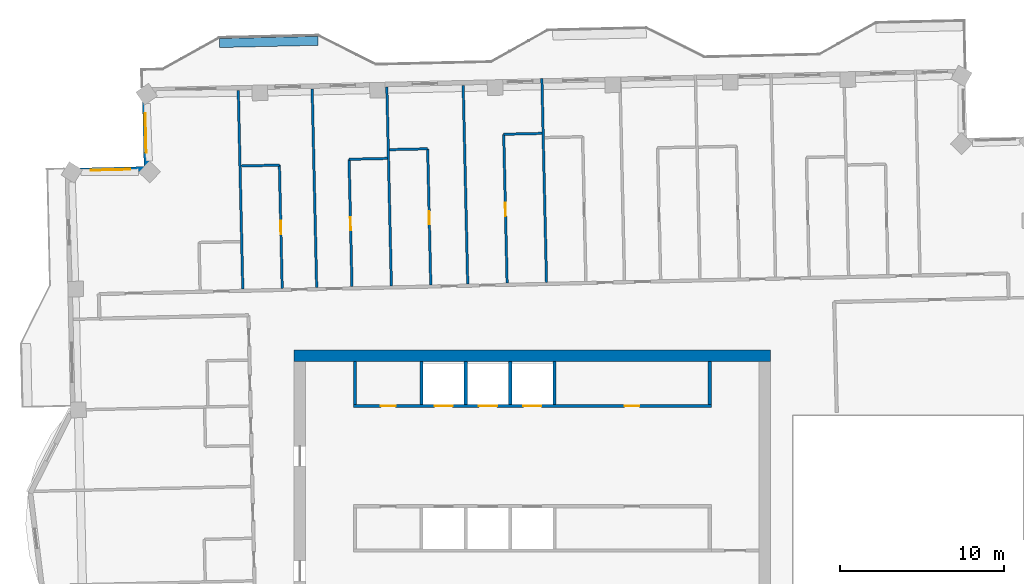
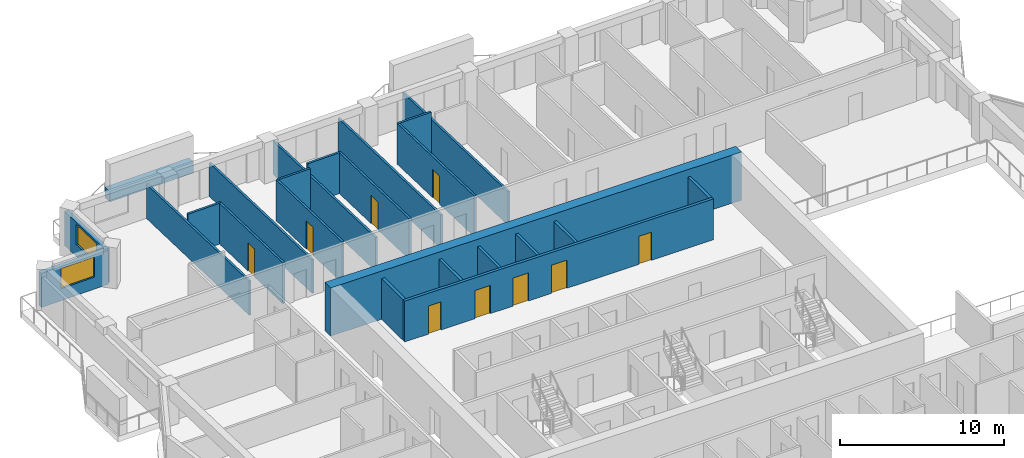
# One storey, part 13 of 20: 24 walls, 9 doors, 2 windows, 11 openings.
"""IFC4 building model written with IfcOpenShell, lengths in metres."""

import ifcopenshell
import ifcopenshell.guid

model = None  # the IFC model being written
_history = None  # IfcOwnerHistory: only IFC2X3 demands one
_inside = {}  # id of a spatial element -> (the spatial element, [elements in it])
_under = {}  # id of a project, library or spatial element -> (it, [spatial elements below it])
_declared = {}  # id of a project -> (the project, [libraries it declares])
_typed = {}  # id of a type object -> (the type object, [elements of that type])
_made_of = {}  # id of a material, layer set ... -> (it, [elements and type objects made of it])


def new_model(schema):
    """Start an empty IFC model of exactly this schema.

    Asked for "IFC4X3", IfcOpenShell would pick the latest addendum, in which some entities
    have other attributes; the version numbers below select the first issue.
    IFC2X3 requires an IfcOwnerHistory on every rooted entity: one is made here for all.
    """
    global model, _history
    if schema == "IFC4X3":
        model = ifcopenshell.file(schema_version=(4, 3, 0, 0))
    else:
        model = ifcopenshell.file(schema=schema)
    _inside.clear()
    _under.clear()
    _declared.clear()
    _typed.clear()
    _made_of.clear()
    _history = None
    if model.schema == "IFC2X3":
        org = make("IfcOrganization", Name="unknown")
        user = make(
            "IfcPersonAndOrganization",
            ThePerson=make("IfcPerson", FamilyName="unknown"),
            TheOrganization=org,
        )
        app = make(
            "IfcApplication",
            ApplicationDeveloper=org,
            Version="unknown",
            ApplicationFullName="unknown",
            ApplicationIdentifier="unknown",
        )
        _history = make(
            "IfcOwnerHistory",
            OwningUser=user,
            OwningApplication=app,
            ChangeAction="ADDED",
            CreationDate=0,
        )
    return model


def make(cls, **values):
    """One entity of the class cls with the attributes given. An attribute that is None is left unset."""
    return model.create_entity(
        cls, **{name: value for name, value in values.items() if value is not None}
    )


def rooted(cls, **values):
    """An entity with a GlobalId (a new one), such as an element, a storey or a relation."""
    return make(cls, GlobalId=ifcopenshell.guid.new(), OwnerHistory=_history, **values)


def si_unit(unit_type, name, prefix=None):
    """IfcSIUnit, for example si_unit("LENGTHUNIT", "METRE", prefix="MILLI")."""
    return make("IfcSIUnit", UnitType=unit_type, Prefix=prefix, Name=name)


def assignment(units):
    """IfcUnitAssignment: the units of a project."""
    return None if units is None else make("IfcUnitAssignment", Units=units)


def point(xyz):
    """IfcCartesianPoint."""
    return None if xyz is None else make("IfcCartesianPoint", Coordinates=xyz)


def direction(xyz):
    """IfcDirection."""
    return None if xyz is None else make("IfcDirection", DirectionRatios=xyz)


def frame(location, z_axis=None, x_axis=None):
    """IfcAxis2Placement3D, a coordinate frame: its origin and axes. An axis left out is left unset."""
    return make(
        "IfcAxis2Placement3D",
        Location=point(location),
        Axis=direction(z_axis),
        RefDirection=direction(x_axis),
    )


def frame_2d(location, x_axis=None):
    """IfcAxis2Placement2D, a coordinate frame in the plane: its origin and x axis."""
    return make(
        "IfcAxis2Placement2D", Location=point(location), RefDirection=direction(x_axis)
    )


def origin():
    """The frame at (0, 0, 0) with its axes left unset."""
    return frame((0.0, 0.0, 0.0))


def place(relative_to, where):
    """IfcLocalPlacement: puts the frame where relative to a parent placement (None: the world)."""
    return make(
        "IfcLocalPlacement", PlacementRelTo=relative_to, RelativePlacement=where
    )


def context(
    kind, dimensions, precision=None, world=None, true_north=None, identifier=None
):
    """IfcGeometricRepresentationContext, for example the 3D "Model" context."""
    return make(
        "IfcGeometricRepresentationContext",
        ContextIdentifier=identifier,
        ContextType=kind,
        CoordinateSpaceDimension=dimensions,
        Precision=precision,
        WorldCoordinateSystem=world,
        TrueNorth=true_north,
    )


def subcontext(parent, identifier, kind, view, scale=None):
    """IfcGeometricRepresentationSubContext, for example "Body" below "Model"."""
    return make(
        "IfcGeometricRepresentationSubContext",
        ContextIdentifier=identifier,
        ContextType=kind,
        ParentContext=parent,
        TargetScale=scale,
        TargetView=view,
    )


def project(units=None, contexts=None):
    """IfcProject with its units and contexts."""
    return rooted(
        "IfcProject",
        Name="project",
        RepresentationContexts=contexts,
        UnitsInContext=assignment(units),
    )


def spatial(cls, under=None, at=None, **own):
    """A site, building, storey or space (cls), placed at a placement, below another one or the project."""
    s = rooted(cls, ObjectPlacement=at, **own)
    if under is not None:
        _under.setdefault(under.id(), (under, []))[1].append(s)
    return s


def profile(cls, at=None, kind="AREA", **sizes):
    """A parametric profile (cls). Its sizes go by their IFC names, for example OverallWidth=200.0."""
    return make(cls, ProfileType=kind, Position=at, **sizes)


def rectangle(**sizes):
    """IfcRectangleProfileDef."""
    return profile("IfcRectangleProfileDef", **sizes)


def extrude(swept, where, along, depth):
    """IfcExtrudedAreaSolid: the profile swept, set in the frame where, extruded along a direction by depth."""
    return make(
        "IfcExtrudedAreaSolid",
        SweptArea=swept,
        Position=where,
        ExtrudedDirection=direction(along),
        Depth=depth,
    )


def shape(context_of_items, identifier, shape_type, items):
    """IfcShapeRepresentation: the items that make up one representation, for example the "Body"."""
    return make(
        "IfcShapeRepresentation",
        ContextOfItems=context_of_items,
        RepresentationIdentifier=identifier,
        RepresentationType=shape_type,
        Items=items,
    )


def material(Name=None, Category=None):
    """IfcMaterial."""
    return make("IfcMaterial", Name=Name, Category=Category)


def layer(
    of_material, thickness, ventilated=None, Name=None, Category=None, Priority=None
):
    """IfcMaterialLayer: one layer of a wall or slab, of a material (None: an air gap)."""
    return make(
        "IfcMaterialLayer",
        Material=of_material,
        LayerThickness=thickness,
        IsVentilated=ventilated,
        Name=Name,
        Category=Category,
        Priority=Priority,
    )


def layer_set(layers, Name=None):
    """IfcMaterialLayerSet."""
    return make("IfcMaterialLayerSet", MaterialLayers=layers, LayerSetName=Name)


def made_of(thing, what):
    """Note that an element or type object is made of a material, layer set ...; save() writes the relation."""
    if what is not None:
        _made_of.setdefault(what.id(), (what, []))[1].append(thing)
    return thing


def type_object(cls, material=None, **own):
    """A type object (cls), such as IfcWallType, which elements share."""
    return made_of(rooted(cls, **own), material)


def element(
    cls,
    number,
    at=None,
    inside=None,
    cuts=None,
    type_object=None,
    material=None,
    context=None,
    identifier="Body",
    shape_type=None,
    held_by="IfcProductDefinitionShape",
    body=None,
    shapes=None,
    **own,
):
    """One element of the class cls, such as IfcWall. Its Tag is "e" and its number.

    at: its placement. inside: the storey or other place that contains it. cuts: it is an
    opening in that element (IfcRelVoidsElement). A single representation is given by context,
    identifier, shape_type and body (its items); several are given by shapes. held_by: the class
    of the entity that holds the representations. save() writes the other relations.
    """
    e = rooted(cls, Tag="e%d" % number, ObjectPlacement=at, **own)
    if body is not None:
        shapes = [shape(context, identifier, shape_type, body)]
    if shapes is not None:
        e.Representation = make(held_by, Representations=shapes)
    if inside is not None:
        _inside.setdefault(inside.id(), (inside, []))[1].append(e)
    if cuts is not None:
        rooted(
            "IfcRelVoidsElement", RelatingBuildingElement=cuts, RelatedOpeningElement=e
        )
    if type_object is not None:
        _typed.setdefault(type_object.id(), (type_object, []))[1].append(e)
    return made_of(e, material)


def fill(opening, filler):
    """IfcRelFillsElement: the door or window that sits in an opening."""
    return rooted(
        "IfcRelFillsElement",
        RelatingOpeningElement=opening,
        RelatedBuildingElement=filler,
    )


def aggregate(whole, parts):
    """IfcRelAggregates: a whole, such as a stair, and the parts it consists of."""
    return rooted("IfcRelAggregates", RelatingObject=whole, RelatedObjects=parts)


def save(model, path):
    """Write the relations noted so far, then the file.

    IfcRelAggregates (storeys below a building ...), IfcRelContainedInSpatialStructure (elements
    in a storey), IfcRelDefinesByType, IfcRelAssociatesMaterial and IfcRelDeclares: one each for
    every whole, place, type object, material and project.
    """
    for whole, parts in _under.values():
        aggregate(whole, parts)
    for where, things in _inside.values():
        rooted(
            "IfcRelContainedInSpatialStructure",
            RelatedElements=things,
            RelatingStructure=where,
        )
    for kind, things in _typed.values():
        rooted("IfcRelDefinesByType", RelatedObjects=things, RelatingType=kind)
    for what, things in _made_of.values():
        rooted("IfcRelAssociatesMaterial", RelatedObjects=things, RelatingMaterial=what)
    for by, libraries in _declared.values():
        rooted("IfcRelDeclares", RelatingContext=by, RelatedDefinitions=libraries)
    model.write(path)


model = new_model("IFC4")

# Units and contexts
model_context = context("Model", 3, precision=1e-05, world=origin(), true_north=direction((0.0, 1.0)))
body_context = subcontext(model_context, "Body", "Model", "MODEL_VIEW")
ifc_project = project(units=[si_unit("LENGTHUNIT", "METRE"), si_unit("AREAUNIT", "SQUARE_METRE"), si_unit("VOLUMEUNIT", "CUBIC_METRE"), si_unit("PLANEANGLEUNIT", "RADIAN"), si_unit("MASSUNIT", "GRAM", prefix="KILO")], contexts=[model_context])

# Site, building, storey
site_placement = place(None, origin())
site = spatial("IfcSite", under=ifc_project, at=site_placement, CompositionType="ELEMENT")
building_placement = place(site_placement, origin())
building = spatial("IfcBuilding", under=site, at=building_placement, Name="Mangrove Gate Tower", CompositionType="ELEMENT")
storey_placement = place(building_placement, frame((0.0, 0.0, 279.89990234375)))
storey = spatial("IfcBuildingStorey", under=building, at=storey_placement, Name="L71", CompositionType="ELEMENT", Elevation=279.89990234375)

# Walls
ifc_material_1 = material(Name="Concrete C32/40", Category="concrete")
ifc_layer_1 = layer(ifc_material_1, 0.199951171875)
ifc_layer_set_1 = layer_set([ifc_layer_1], Name="Core room wall 200 C32/40")
wall_type_1 = type_object("IfcWallType", Name="Core room wall 200 C32/40", PredefinedType="STANDARD", material=ifc_layer_set_1)
for number, where, z_axis, x_axis, name in (
    (1, (-10.800048828125, 8.199951171875, 0.0), (0.0, 0.0, 1.0), (0.0, 1.0, 0.0), "WALL-L71-CORE-25"),
    (2, (10.800048828125, 8.199951171875, 0.0), (0.0, 0.0, 1.0), (0.0, 1.0, 0.0), "WALL-L71-CORE-30"),
):
    element("IfcWall", number, at=place(storey_placement, frame(where, z_axis=z_axis, x_axis=x_axis)), inside=storey, type_object=wall_type_1, Name=name, PredefinedType="STANDARD", context=body_context, shape_type="SweptSolid", body=[
        extrude(rectangle(XDim=2.60009765625, YDim=0.199951171875, at=frame_2d((1.300048828125, 0.0))), origin(), (0.0, 0.0, 1.0), 3.050048828125),
    ])

# Wall, openings, doors
ifc_material_2 = material(Name="Concrete C50/60", Category="concrete")
ifc_layer_2 = layer(ifc_material_2, 0.199951171875)
ifc_layer_set_2 = layer_set([ifc_layer_2], Name="Core shaft wall 200 C50/60")
wall_type_2 = type_object("IfcWallType", Name="Core shaft wall 200 C50/60", PredefinedType="SHEAR", material=ifc_layer_set_2)
wall_1_placement = place(storey_placement, frame((-10.89990234375, 8.10009765625, 0.0), z_axis=(0.0, 0.0, 1.0), x_axis=(1.0, 0.0, 0.0)))
wall_1 = element("IfcWall", 3, at=wall_1_placement, inside=storey, type_object=wall_type_2, Name="WALL-L71-CORE-8", PredefinedType="SHEAR", context=body_context, shape_type="SweptSolid", body=[
    extrude(rectangle(XDim=21.7998046875, YDim=0.199951171875, at=frame_2d((10.89990234375, 0.0))), origin(), (0.0, 0.0, 1.0), 3.050048828125),
])
opening_1_placement = place(wall_1_placement, frame((4.949951171875, 0.0, 0.0)))
opening_1 = element("IfcOpeningElement", 4, at=opening_1_placement, cuts=wall_1, Name="Opening LD", PredefinedType="OPENING", context=body_context, shape_type="SweptSolid", body=[
    extrude(rectangle(XDim=1.10009765625, YDim=2.10009765625, at=frame_2d((0.550048828125, 1.050048828125))), frame((0.0, 0.10986328125, 0.0), z_axis=(0.0, -1.0, 0.0), x_axis=(1.0, 0.0, 0.0)), (0.0, 0.0, 1.0), 0.219970703125),
])
opening_2_placement = place(wall_1_placement, frame((7.64990234375, 0.0, 0.0)))
opening_2 = element("IfcOpeningElement", 5, at=opening_2_placement, cuts=wall_1, Name="Opening LD", PredefinedType="OPENING", context=body_context, shape_type="SweptSolid", body=[
    extrude(rectangle(XDim=1.10009765625, YDim=2.10009765625, at=frame_2d((0.550048828125, 1.050048828125))), frame((0.0, 0.10986328125, 0.0), z_axis=(0.0, -1.0, 0.0), x_axis=(1.0, 0.0, 0.0)), (0.0, 0.0, 1.0), 0.219970703125),
])
opening_3_placement = place(wall_1_placement, frame((10.35009765625, 0.0, 0.0)))
opening_3 = element("IfcOpeningElement", 6, at=opening_3_placement, cuts=wall_1, Name="Opening LD", PredefinedType="OPENING", context=body_context, shape_type="SweptSolid", body=[
    extrude(rectangle(XDim=1.10009765625, YDim=2.10009765625, at=frame_2d((0.550048828125, 1.050048828125))), frame((0.0, 0.10986328125, 0.0), z_axis=(0.0, -1.0, 0.0), x_axis=(1.0, 0.0, 0.0)), (0.0, 0.0, 1.0), 0.219970703125),
])
opening_4_placement = place(wall_1_placement, frame((1.675048828125, 0.0, 0.0)))
opening_4 = element("IfcOpeningElement", 7, at=opening_4_placement, cuts=wall_1, Name="Opening KD", PredefinedType="OPENING", context=body_context, shape_type="SweptSolid", body=[
    extrude(rectangle(XDim=0.89990234375, YDim=2.10009765625, at=frame_2d((0.449951171875, 1.050048828125))), frame((0.0, 0.10986328125, 0.0), z_axis=(0.0, -1.0, 0.0), x_axis=(1.0, 0.0, 0.0)), (0.0, 0.0, 1.0), 0.219970703125),
])
opening_5_placement = place(wall_1_placement, frame((16.52490234375, 0.0, 0.0)))
opening_5 = element("IfcOpeningElement", 8, at=opening_5_placement, cuts=wall_1, Name="Opening RD", PredefinedType="OPENING", context=body_context, shape_type="SweptSolid", body=[
    extrude(rectangle(XDim=0.89990234375, YDim=2.10009765625, at=frame_2d((0.449951171875, 1.050048828125))), frame((0.0, 0.10986328125, 0.0), z_axis=(0.0, -1.0, 0.0), x_axis=(1.0, 0.0, 0.0)), (0.0, 0.0, 1.0), 0.219970703125),
])
ifc_material_3 = material(Name="Fire-rated steel door set", Category="steel")
door_type_1 = type_object("IfcDoorType", Name="Core room door FD30S 900x2100", OperationType="SINGLE_SWING_RIGHT", PredefinedType="DOOR", material=ifc_material_3)
door_1_placement = place(opening_4_placement, origin())
door_1 = element("IfcDoor", 9, at=door_1_placement, inside=storey, type_object=door_type_1, Name="Core room door Refuse store", OperationType="SINGLE_SWING_RIGHT", OverallHeight=2.10009765625, OverallWidth=0.89990234375, PredefinedType="DOOR", context=body_context, shape_type="SweptSolid", body=[
    extrude(rectangle(XDim=0.89990234375, YDim=2.10009765625, at=frame_2d((0.449951171875, 1.050048828125))), frame((0.0, 0.02490234375, 0.0), z_axis=(0.0, -1.0, 0.0), x_axis=(1.0, 0.0, 0.0)), (0.0, 0.0, 1.0), 0.050048828125),
])
fill(opening_4, door_1)
ifc_material_4 = material(Name="Stainless steel 316", Category="steel")
door_type_2 = type_object("IfcDoorType", Name="Lift landing door 1100x2100", OperationType="SLIDING_TO_LEFT", PredefinedType="DOOR", material=ifc_material_4)
door_2_placement = place(opening_1_placement, origin())
door_2 = element("IfcDoor", 10, at=door_2_placement, inside=storey, type_object=door_type_2, Name="Landing door LD H04", OperationType="SLIDING_TO_LEFT", OverallHeight=2.10009765625, OverallWidth=1.10009765625, PredefinedType="DOOR", context=body_context, shape_type="SweptSolid", body=[
    extrude(rectangle(XDim=1.10009765625, YDim=2.10009765625, at=frame_2d((0.550048828125, 1.050048828125))), frame((0.0, 0.02490234375, 0.0), z_axis=(0.0, -1.0, 0.0), x_axis=(1.0, 0.0, 0.0)), (0.0, 0.0, 1.0), 0.050048828125),
])
fill(opening_1, door_2)
door_3_placement = place(opening_2_placement, origin())
door_3 = element("IfcDoor", 11, at=door_3_placement, inside=storey, type_object=door_type_2, Name="Landing door LD H05", OperationType="SLIDING_TO_LEFT", OverallHeight=2.10009765625, OverallWidth=1.10009765625, PredefinedType="DOOR", context=body_context, shape_type="SweptSolid", body=[
    extrude(rectangle(XDim=1.10009765625, YDim=2.10009765625, at=frame_2d((0.550048828125, 1.050048828125))), frame((0.0, 0.02490234375, 0.0), z_axis=(0.0, -1.0, 0.0), x_axis=(1.0, 0.0, 0.0)), (0.0, 0.0, 1.0), 0.050048828125),
])
fill(opening_2, door_3)
door_4_placement = place(opening_3_placement, origin())
door_4 = element("IfcDoor", 12, at=door_4_placement, inside=storey, type_object=door_type_2, Name="Landing door LD H06", OperationType="SLIDING_TO_LEFT", OverallHeight=2.10009765625, OverallWidth=1.10009765625, PredefinedType="DOOR", context=body_context, shape_type="SweptSolid", body=[
    extrude(rectangle(XDim=1.10009765625, YDim=2.10009765625, at=frame_2d((0.550048828125, 1.050048828125))), frame((0.0, 0.02490234375, 0.0), z_axis=(0.0, -1.0, 0.0), x_axis=(1.0, 0.0, 0.0)), (0.0, 0.0, 1.0), 0.050048828125),
])
fill(opening_3, door_4)
ifc_material_5 = material(Name="Fire-rated steel door set", Category="steel")
door_type_3 = type_object("IfcDoorType", Name="Riser door FD30S 900x2100", OperationType="SINGLE_SWING_LEFT", PredefinedType="DOOR", material=ifc_material_5)
door_5_placement = place(opening_5_placement, origin())
door_5 = element("IfcDoor", 13, at=door_5_placement, inside=storey, type_object=door_type_3, Name="Riser door Electrical room", OperationType="SINGLE_SWING_LEFT", OverallHeight=2.10009765625, OverallWidth=0.89990234375, PredefinedType="DOOR", context=body_context, shape_type="SweptSolid", body=[
    extrude(rectangle(XDim=0.89990234375, YDim=2.10009765625, at=frame_2d((0.449951171875, 1.050048828125))), frame((0.0, 0.02490234375, 0.0), z_axis=(0.0, -1.0, 0.0), x_axis=(1.0, 0.0, 0.0)), (0.0, 0.0, 1.0), 0.050048828125),
])
fill(opening_5, door_5)

# Walls
for number, where, z_axis, x_axis, name in (
    (14, (-6.75, 8.199951171875, 0.0), (0.0, 0.0, 1.0), (0.0, 1.0, 0.0), "WALL-L71-CORE-26"),
    (15, (-4.050048828125, 8.199951171875, 0.0), (0.0, 0.0, 1.0), (0.0, 1.0, 0.0), "WALL-L71-CORE-27"),
    (16, (-1.35009765625, 8.199951171875, 0.0), (0.0, 0.0, 1.0), (0.0, 1.0, 0.0), "WALL-L71-CORE-28"),
    (17, (1.35009765625, 8.199951171875, 0.0), (0.0, 0.0, 1.0), (0.0, 1.0, 0.0), "WALL-L71-CORE-29"),
):
    element("IfcWall", number, at=place(storey_placement, frame(where, z_axis=z_axis, x_axis=x_axis)), inside=storey, type_object=wall_type_2, Name=name, PredefinedType="SHEAR", context=body_context, shape_type="SweptSolid", body=[
        extrude(rectangle(XDim=2.60009765625, YDim=0.199951171875, at=frame_2d((1.300048828125, 0.0))), origin(), (0.0, 0.0, 1.0), 3.050048828125),
    ])
ifc_material_6 = material(Name="Concrete C50/60", Category="concrete")
ifc_layer_3 = layer(ifc_material_6, 0.699951171875)
ifc_layer_set_3 = layer_set([ifc_layer_3], Name="Core wall 700 C50/60")
wall_type_3 = type_object("IfcWallType", Name="Core wall 700 C50/60", PredefinedType="SHEAR", material=ifc_layer_set_3)
wall_2_placement = place(storey_placement, frame((-14.5, 11.14990234375, 0.0), z_axis=(0.0, 0.0, 1.0), x_axis=(1.0, 0.0, 0.0)))
element("IfcWall", 18, at=wall_2_placement, inside=storey, type_object=wall_type_3, Name="WALL-L71-CORE-2", PredefinedType="SHEAR", context=body_context, shape_type="SweptSolid", body=[
    extrude(rectangle(XDim=29.0, YDim=0.699951171875, at=frame_2d((14.5, 0.0))), origin(), (0.0, 0.0, 1.0), 3.60009765625),
])

# Wall, opening, window
ifc_material_7 = material(Name="Limestone", Category="masonry")
ifc_layer_4 = layer(ifc_material_7, 0.0400390625, Name="Limestone cladding")
ifc_material_8 = material(Name="Ventilated air gap")
ifc_layer_5 = layer(ifc_material_8, 0.0400390625, Name="Ventilated cavity")
ifc_material_9 = material(Name="Mineral wool insulation")
ifc_layer_6 = layer(ifc_material_9, 0.06005859375, Name="Insulation")
ifc_material_10 = material(Name="Breather membrane")
ifc_layer_7 = layer(ifc_material_10, 0.001953125, Name="Breather membrane")
ifc_material_11 = material(Name="Concrete C20/25 blockwork", Category="masonry")
ifc_layer_8 = layer(ifc_material_11, 0.14990234375, Name="Blockwork backing wall")
ifc_material_12 = material(Name="Gypsum plaster")
ifc_layer_9 = layer(ifc_material_12, 0.008056640625, Name="Internal plaster")
ifc_layer_set_4 = layer_set([ifc_layer_4, ifc_layer_5, ifc_layer_6, ifc_layer_7, ifc_layer_8, ifc_layer_9], Name="External wall 300 limestone cladding")
wall_type_4 = type_object("IfcWallType", Name="External wall 300 limestone cladding", PredefinedType="SOLIDWALL", material=ifc_layer_set_4)
wall_3_placement = place(storey_placement, frame((-23.60693359375, 27.3349609375, 0.0), z_axis=(0.0, 0.0, 1.0), x_axis=(0.022683280499, -0.999742701292, 0.0)))
wall_3 = element("IfcWall", 19, at=wall_3_placement, inside=storey, type_object=wall_type_4, Name="WALL-L71-W6", PredefinedType="SOLIDWALL", context=body_context, shape_type="SweptSolid", body=[
    extrude(rectangle(XDim=4.80029296875, YDim=0.300048828125, at=frame_2d((2.400146484375, 0.0))), origin(), (0.0, 0.0, 1.0), 2.550048828125),
])
opening_6_placement = place(wall_3_placement, frame((1.408935546875, 0.0, 0.89990234375)))
opening_6 = element("IfcOpeningElement", 20, at=opening_6_placement, cuts=wall_3, Name="Opening W2", PredefinedType="OPENING", context=body_context, shape_type="SweptSolid", body=[
    extrude(rectangle(XDim=2.39990234375, YDim=1.5, at=frame_2d((1.199951171875, 0.75))), frame((0.0, 0.159912109375, 0.0), z_axis=(0.0, -1.0, 0.0), x_axis=(1.0, 0.0, 0.0)), (0.0, 0.0, 1.0), 0.320068359375),
])
ifc_material_13 = material(Name="Aluminium frame with double-glazed low-e glass", Category="aluminium")
window_type = type_object("IfcWindowType", Name="Corner room window 2400x1500", PartitioningType="DOUBLE_PANEL_VERTICAL", PredefinedType="WINDOW", material=ifc_material_13)
window_1_placement = place(opening_6_placement, origin())
window_1 = element("IfcWindow", 21, at=window_1_placement, inside=storey, type_object=window_type, Name="WIN-L71-W6-1", OverallHeight=1.5, OverallWidth=2.39990234375, PartitioningType="DOUBLE_PANEL_VERTICAL", PredefinedType="WINDOW", context=body_context, shape_type="SweptSolid", body=[
    extrude(rectangle(XDim=2.39990234375, YDim=1.5, at=frame_2d((1.199951171875, 0.75))), frame((0.0, 0.030029296875, 0.0), z_axis=(0.0, -1.0, 0.0), x_axis=(1.0, 0.0, 0.0)), (0.0, 0.0, 1.0), 0.06005859375),
])
fill(opening_6, window_1)

wall_4_placement = place(storey_placement, frame((-23.498046875, 22.535888671875, 0.0), z_axis=(0.0, 0.0, 1.0), x_axis=(-0.999742701292, -0.022683280499, 0.0)))
wall_4 = element("IfcWall", 22, at=wall_4_placement, inside=storey, type_object=wall_type_4, Name="WALL-L71-N7", PredefinedType="SOLIDWALL", context=body_context, shape_type="SweptSolid", body=[
    extrude(rectangle(XDim=4.80029296875, YDim=0.300048828125, at=frame_2d((2.400146484375, 0.0))), origin(), (0.0, 0.0, 1.0), 2.550048828125),
])
opening_7_placement = place(wall_4_placement, frame((0.989990234375, 0.0, 0.89990234375)))
opening_7 = element("IfcOpeningElement", 23, at=opening_7_placement, cuts=wall_4, Name="Opening W2", PredefinedType="OPENING", context=body_context, shape_type="SweptSolid", body=[
    extrude(rectangle(XDim=2.39990234375, YDim=1.5, at=frame_2d((1.199951171875, 0.75))), frame((0.0, 0.159912109375, 0.0), z_axis=(0.0, -1.0, 0.0), x_axis=(1.0, 0.0, 0.0)), (0.0, 0.0, 1.0), 0.320068359375),
])
window_2_placement = place(opening_7_placement, origin())
window_2 = element("IfcWindow", 24, at=window_2_placement, inside=storey, type_object=window_type, Name="WIN-L71-N7-1", OverallHeight=1.5, OverallWidth=2.39990234375, PartitioningType="DOUBLE_PANEL_VERTICAL", PredefinedType="WINDOW", context=body_context, shape_type="SweptSolid", body=[
    extrude(rectangle(XDim=2.39990234375, YDim=1.5, at=frame_2d((1.199951171875, 0.75))), frame((0.0, 0.030029296875, 0.0), z_axis=(0.0, -1.0, 0.0), x_axis=(1.0, 0.0, 0.0)), (0.0, 0.0, 1.0), 0.06005859375),
])
fill(opening_7, window_2)

# Wall
ifc_material_14 = material(Name="Gypsum board on steel stud, EI 60", Category="steel")
ifc_layer_10 = layer(ifc_material_14, 0.14990234375)
ifc_layer_set_5 = layer_set([ifc_layer_10], Name="Party wall 150 EI 60")
wall_type_5 = type_object("IfcWallType", Name="Party wall 150 EI 60", PredefinedType="PARTITIONING", material=ifc_layer_set_5)
wall_5_placement = place(storey_placement, frame((-17.633056640625, 15.217041015625, 0.0), z_axis=(0.0, 0.0, 1.0), x_axis=(-0.02263844782, 0.9997437175, 0.0)))
element("IfcWall", 25, at=wall_5_placement, inside=storey, type_object=wall_type_5, Name="WALL-L71-059", PredefinedType="PARTITIONING", context=body_context, shape_type="SweptSolid", body=[
    extrude(rectangle(XDim=12.10009765625, YDim=0.14990234375, at=frame_2d((6.050048828125, 0.0))), origin(), (0.0, 0.0, 1.0), 2.550048828125),
])

# Wall, opening, door
wall_6_placement = place(storey_placement, frame((-15.23291015625, 15.27197265625, 0.0), z_axis=(0.0, 0.0, 1.0), x_axis=(-0.022819011082, 0.999739612466, 0.0)))
wall_6 = element("IfcWall", 26, at=wall_6_placement, inside=storey, type_object=wall_type_5, Name="WALL-L71-060", PredefinedType="PARTITIONING", context=body_context, shape_type="SweptSolid", body=[
    extrude(rectangle(XDim=7.5, YDim=0.14990234375, at=frame_2d((3.75, 0.0))), origin(), (0.0, 0.0, 1.0), 3.050048828125),
])
opening_8_placement = place(wall_6_placement, frame((3.300048828125, 0.0, 0.0)))
opening_8 = element("IfcOpeningElement", 27, at=opening_8_placement, cuts=wall_6, Name="Opening ED", PredefinedType="OPENING", context=body_context, shape_type="SweptSolid", body=[
    extrude(rectangle(XDim=0.800048828125, YDim=2.10009765625, at=frame_2d((0.39990234375, 1.050048828125))), frame((0.0, 0.0849609375, 0.0), z_axis=(0.0, -1.0, 0.0), x_axis=(1.0, 0.0, 0.0)), (0.0, 0.0, 1.0), 0.169921875),
])
ifc_material_15 = material(Name="Timber door leaf", Category="wood")
door_type_4 = type_object("IfcDoorType", Name="En-suite door 800", OperationType="SINGLE_SWING_LEFT", PredefinedType="DOOR", material=ifc_material_15)
door_6_placement = place(opening_8_placement, origin())
door_6 = element("IfcDoor", 28, at=door_6_placement, inside=storey, type_object=door_type_4, Name="DOOR-L71-ENS-c518", OperationType="SINGLE_SWING_RIGHT", OverallHeight=2.10009765625, OverallWidth=0.800048828125, PredefinedType="DOOR", context=body_context, shape_type="SweptSolid", body=[
    extrude(rectangle(XDim=0.800048828125, YDim=2.10009765625, at=frame_2d((0.39990234375, 1.050048828125))), frame((0.0, 0.02490234375, 0.0), z_axis=(0.0, -1.0, 0.0), x_axis=(1.0, 0.0, 0.0)), (0.0, 0.0, 1.0), 0.050048828125),
])
fill(opening_8, door_6)

# Wall
wall_7_placement = place(storey_placement, frame((-13.134033203125, 15.319091796875, 0.0), z_axis=(0.0, 0.0, 1.0), x_axis=(-0.02263844782, 0.9997437175, 0.0)))
element("IfcWall", 29, at=wall_7_placement, inside=storey, type_object=wall_type_5, Name="WALL-L71-061", PredefinedType="PARTITIONING", context=body_context, shape_type="SweptSolid", body=[
    extrude(rectangle(XDim=12.10009765625, YDim=0.14990234375, at=frame_2d((6.050048828125, 0.0))), origin(), (0.0, 0.0, 1.0), 2.5),
])

# Wall, opening, door
wall_8_placement = place(storey_placement, frame((-10.98388671875, 15.367919921875, 0.0), z_axis=(0.0, 0.0, 1.0), x_axis=(-0.022809307977, 0.999739833892, 0.0)))
wall_8 = element("IfcWall", 30, at=wall_8_placement, inside=storey, type_object=wall_type_5, Name="WALL-L71-062", PredefinedType="PARTITIONING", context=body_context, shape_type="SweptSolid", body=[
    extrude(rectangle(XDim=7.760009765625, YDim=0.14990234375, at=frame_2d((3.8798828125, 0.0))), origin(), (0.0, 0.0, 1.0), 3.050048828125),
])
opening_9_placement = place(wall_8_placement, frame((3.429931640625, 0.0, 0.0)))
opening_9 = element("IfcOpeningElement", 31, at=opening_9_placement, cuts=wall_8, Name="Opening ED", PredefinedType="OPENING", context=body_context, shape_type="SweptSolid", body=[
    extrude(rectangle(XDim=0.800048828125, YDim=2.10009765625, at=frame_2d((0.39990234375, 1.050048828125))), frame((0.0, 0.0849609375, 0.0), z_axis=(0.0, -1.0, 0.0), x_axis=(1.0, 0.0, 0.0)), (0.0, 0.0, 1.0), 0.169921875),
])
door_7_placement = place(opening_9_placement, origin())
door_7 = element("IfcDoor", 32, at=door_7_placement, inside=storey, type_object=door_type_4, Name="DOOR-L71-ENS-c517", OperationType="SINGLE_SWING_LEFT", OverallHeight=2.10009765625, OverallWidth=0.800048828125, PredefinedType="DOOR", context=body_context, shape_type="SweptSolid", body=[
    extrude(rectangle(XDim=0.800048828125, YDim=2.10009765625, at=frame_2d((0.39990234375, 1.050048828125))), frame((0.0, 0.02490234375, 0.0), z_axis=(0.0, -1.0, 0.0), x_axis=(1.0, 0.0, 0.0)), (0.0, 0.0, 1.0), 0.050048828125),
])
fill(opening_9, door_7)

# Wall
wall_9_placement = place(storey_placement, frame((-8.5849609375, 15.422119140625, 0.0), z_axis=(0.0, 0.0, 1.0), x_axis=(-0.02273928012, 0.99974142914, 0.0)))
element("IfcWall", 33, at=wall_9_placement, inside=storey, type_object=wall_type_5, Name="WALL-L71-063", PredefinedType="PARTITIONING", context=body_context, shape_type="SweptSolid", body=[
    extrude(rectangle(XDim=12.10009765625, YDim=0.14990234375, at=frame_2d((6.050048828125, 0.0))), origin(), (0.0, 0.0, 1.0), 2.5),
])

# Wall, opening, door
wall_10_placement = place(storey_placement, frame((-6.18603515625, 15.47705078125, 0.0), z_axis=(0.0, 0.0, 1.0), x_axis=(-0.022676583998, 0.999742853207, 0.0)))
wall_10 = element("IfcWall", 34, at=wall_10_placement, inside=storey, type_object=wall_type_5, Name="WALL-L71-064", PredefinedType="PARTITIONING", context=body_context, shape_type="SweptSolid", body=[
    extrude(rectangle(XDim=8.2900390625, YDim=0.14990234375, at=frame_2d((4.14501953125, 0.0))), origin(), (0.0, 0.0, 1.0), 3.050048828125),
])
opening_10_placement = place(wall_10_placement, frame((3.695068359375, 0.0, 0.0)))
opening_10 = element("IfcOpeningElement", 35, at=opening_10_placement, cuts=wall_10, Name="Opening ED", PredefinedType="OPENING", context=body_context, shape_type="SweptSolid", body=[
    extrude(rectangle(XDim=0.800048828125, YDim=2.10009765625, at=frame_2d((0.39990234375, 1.050048828125))), frame((0.0, 0.0849609375, 0.0), z_axis=(0.0, -1.0, 0.0), x_axis=(1.0, 0.0, 0.0)), (0.0, 0.0, 1.0), 0.169921875),
])
door_8_placement = place(opening_10_placement, origin())
door_8 = element("IfcDoor", 36, at=door_8_placement, inside=storey, type_object=door_type_4, Name="DOOR-L71-ENS-c516", OperationType="SINGLE_SWING_RIGHT", OverallHeight=2.10009765625, OverallWidth=0.800048828125, PredefinedType="DOOR", context=body_context, shape_type="SweptSolid", body=[
    extrude(rectangle(XDim=0.800048828125, YDim=2.10009765625, at=frame_2d((0.39990234375, 1.050048828125))), frame((0.0, 0.02490234375, 0.0), z_axis=(0.0, -1.0, 0.0), x_axis=(1.0, 0.0, 0.0)), (0.0, 0.0, 1.0), 0.050048828125),
])
fill(opening_10, door_8)

# Wall
wall_11_placement = place(storey_placement, frame((-3.93603515625, 15.528076171875, 0.0), z_axis=(0.0, 0.0, 1.0), x_axis=(-0.022719113715, 0.999741887625, 0.0)))
element("IfcWall", 37, at=wall_11_placement, inside=storey, type_object=wall_type_5, Name="WALL-L71-065", PredefinedType="PARTITIONING", context=body_context, shape_type="SweptSolid", body=[
    extrude(rectangle(XDim=12.10009765625, YDim=0.14990234375, at=frame_2d((6.050048828125, 0.0))), origin(), (0.0, 0.0, 1.0), 2.5),
])

# Wall, opening, door
wall_12_placement = place(storey_placement, frame((-1.537109375, 15.58203125, 0.0), z_axis=(0.0, 0.0, 1.0), x_axis=(-0.022690833899, 0.999742529883, 0.0)))
wall_12 = element("IfcWall", 38, at=wall_12_placement, inside=storey, type_object=wall_type_5, Name="WALL-L71-066", PredefinedType="PARTITIONING", context=body_context, shape_type="SweptSolid", body=[
    extrude(rectangle(XDim=9.0703125, YDim=0.14990234375, at=frame_2d((4.53515625, 0.0))), origin(), (0.0, 0.0, 1.0), 3.050048828125),
])
opening_11_placement = place(wall_12_placement, frame((4.0849609375, 0.0, 0.0)))
opening_11 = element("IfcOpeningElement", 39, at=opening_11_placement, cuts=wall_12, Name="Opening ED", PredefinedType="OPENING", context=body_context, shape_type="SweptSolid", body=[
    extrude(rectangle(XDim=0.800048828125, YDim=2.10009765625, at=frame_2d((0.39990234375, 1.050048828125))), frame((0.0, 0.0849609375, 0.0), z_axis=(0.0, -1.0, 0.0), x_axis=(1.0, 0.0, 0.0)), (0.0, 0.0, 1.0), 0.169921875),
])
door_9_placement = place(opening_11_placement, origin())
door_9 = element("IfcDoor", 40, at=door_9_placement, inside=storey, type_object=door_type_4, Name="DOOR-L71-ENS-c415", OperationType="SINGLE_SWING_LEFT", OverallHeight=2.10009765625, OverallWidth=0.800048828125, PredefinedType="DOOR", context=body_context, shape_type="SweptSolid", body=[
    extrude(rectangle(XDim=0.800048828125, YDim=2.10009765625, at=frame_2d((0.39990234375, 1.050048828125))), frame((0.0, 0.02490234375, 0.0), z_axis=(0.0, -1.0, 0.0), x_axis=(1.0, 0.0, 0.0)), (0.0, 0.0, 1.0), 0.050048828125),
])
fill(opening_11, door_9)

# Walls
wall_13_placement = place(storey_placement, frame((0.862060546875, 15.636962890625, 0.0), z_axis=(0.0, 0.0, 1.0), x_axis=(-0.022661475803, 0.999743195783, 0.0)))
element("IfcWall", 41, at=wall_13_placement, inside=storey, type_object=wall_type_5, Name="WALL-L71-067", PredefinedType="PARTITIONING", context=body_context, shape_type="SweptSolid", body=[
    extrude(rectangle(XDim=12.400146484375, YDim=0.14990234375, at=frame_2d((6.2001953125, 0.0))), origin(), (0.0, 0.0, 1.0), 2.5),
])
wall_14_placement = place(storey_placement, frame((-17.72607421875, 22.717041015625, 0.0), z_axis=(0.0, 0.0, 1.0), x_axis=(0.999740260747, 0.02279059109, 0.0)))
element("IfcWall", 42, at=wall_14_placement, inside=storey, type_object=wall_type_5, Name="WALL-L71-081", PredefinedType="PARTITIONING", context=body_context, shape_type="SweptSolid", body=[
    extrude(rectangle(XDim=2.324462890625, YDim=0.14990234375, at=frame_2d((1.162109375, 0.0))), origin(), (0.0, 0.0, 1.0), 3.050048828125),
])
wall_15_placement = place(storey_placement, frame((-11.158935546875, 23.1259765625, 0.0), z_axis=(0.0, 0.0, 1.0), x_axis=(0.999740478815, 0.022781023197, 0.0)))
element("IfcWall", 43, at=wall_15_placement, inside=storey, type_object=wall_type_5, Name="WALL-L71-082", PredefinedType="PARTITIONING", context=body_context, shape_type="SweptSolid", body=[
    extrude(rectangle(XDim=2.325439453125, YDim=0.14990234375, at=frame_2d((1.16259765625, 0.0))), origin(), (0.0, 0.0, 1.0), 3.050048828125),
])
wall_16_placement = place(storey_placement, frame((-8.696044921875, 23.7119140625, 0.0), z_axis=(0.0, 0.0, 1.0), x_axis=(0.999740260747, 0.02279059109, 0.0)))
element("IfcWall", 44, at=wall_16_placement, inside=storey, type_object=wall_type_5, Name="WALL-L71-085", PredefinedType="PARTITIONING", context=body_context, shape_type="SweptSolid", body=[
    extrude(rectangle(XDim=2.324462890625, YDim=0.14990234375, at=frame_2d((1.162109375, 0.0))), origin(), (0.0, 0.0, 1.0), 3.050048828125),
])
wall_17_placement = place(storey_placement, frame((-1.740966796875, 24.64990234375, 0.0), z_axis=(0.0, 0.0, 1.0), x_axis=(0.999740478815, 0.022781023197, 0.0)))
element("IfcWall", 45, at=wall_17_placement, inside=storey, type_object=wall_type_5, Name="WALL-L71-087", PredefinedType="PARTITIONING", context=body_context, shape_type="SweptSolid", body=[
    extrude(rectangle(XDim=2.325439453125, YDim=0.14990234375, at=frame_2d((1.16259765625, 0.0))), origin(), (0.0, 0.0, 1.0), 3.050048828125),
])
ifc_material_16 = material(Name="Concrete C32/40", Category="concrete")
ifc_layer_11 = layer(ifc_material_16, 0.199951171875, Name="Planter trough wall")
ifc_material_17 = material(Name="Bituminous waterproofing membrane")
ifc_layer_12 = layer(ifc_material_17, 0.0048828125, Name="Waterproofing")
ifc_material_18 = material(Name="Drainage board and gravel")
ifc_layer_13 = layer(ifc_material_18, 0.044921875, Name="Drainage layer")
ifc_material_19 = material(Name="Planting soil")
ifc_layer_14 = layer(ifc_material_19, 0.300048828125, Name="Growing medium")
ifc_layer_set_6 = layer_set([ifc_layer_11, ifc_layer_12, ifc_layer_13, ifc_layer_14], Name="Planter wall 550 C32/40")
wall_type_6 = type_object("IfcWallType", Name="Planter wall 550 C32/40", PredefinedType="USERDEFINED", material=ifc_layer_set_6)
wall_18_placement = place(storey_placement, frame((-19.052978515625, 30.2041015625, 0.0), z_axis=(0.0, 0.0, 1.0), x_axis=(0.999743094499, 0.022665943652, 0.0)))
element("IfcWall", 46, at=wall_18_placement, inside=storey, type_object=wall_type_6, Name="PLANTER L71 N1.1", ObjectType="PLANTER", PredefinedType="USERDEFINED", context=body_context, shape_type="SweptSolid", body=[
    extrude(rectangle(XDim=5.99951171875, YDim=0.550048828125, at=frame_2d((2.999755859375, 0.0))), origin(), (0.0, 0.0, 1.0), 0.800048828125),
])

save(model, "model.ifc")
